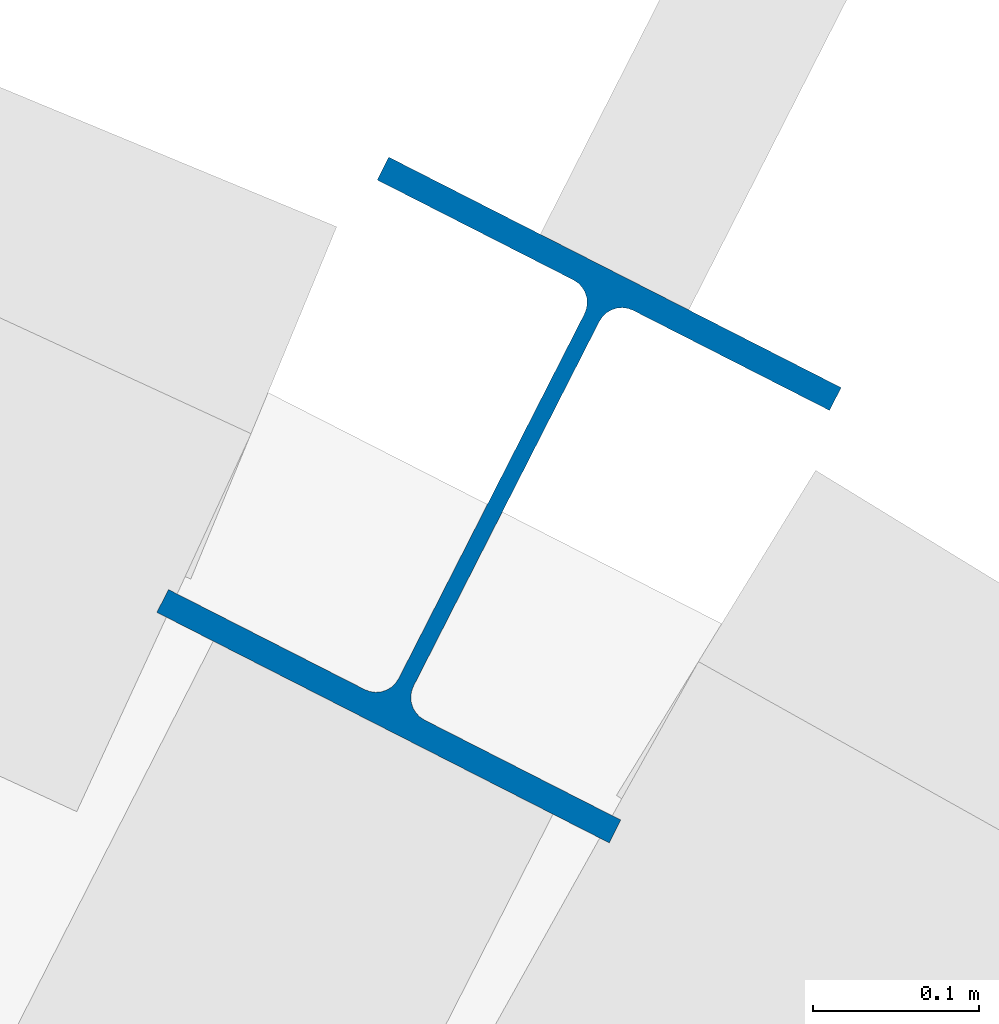
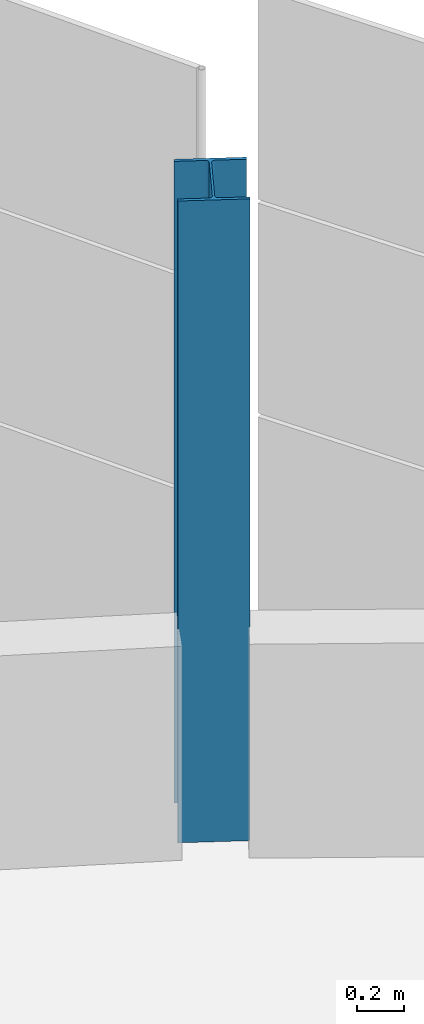
# One storey, part 28 of 199: 1 column.
"""IFC4 building model written with IfcOpenShell, lengths in metres."""

import ifcopenshell
import ifcopenshell.guid

model = None  # the IFC model being written
_history = None  # IfcOwnerHistory: only IFC2X3 demands one
_inside = {}  # id of a spatial element -> (the spatial element, [elements in it])
_under = {}  # id of a project, library or spatial element -> (it, [spatial elements below it])
_declared = {}  # id of a project -> (the project, [libraries it declares])
_typed = {}  # id of a type object -> (the type object, [elements of that type])
_made_of = {}  # id of a material, layer set ... -> (it, [elements and type objects made of it])


def new_model(schema):
    """Start an empty IFC model of exactly this schema.

    Asked for "IFC4X3", IfcOpenShell would pick the latest addendum, in which some entities
    have other attributes; the version numbers below select the first issue.
    IFC2X3 requires an IfcOwnerHistory on every rooted entity: one is made here for all.
    """
    global model, _history
    if schema == "IFC4X3":
        model = ifcopenshell.file(schema_version=(4, 3, 0, 0))
    else:
        model = ifcopenshell.file(schema=schema)
    _inside.clear()
    _under.clear()
    _declared.clear()
    _typed.clear()
    _made_of.clear()
    _history = None
    if model.schema == "IFC2X3":
        org = make("IfcOrganization", Name="unknown")
        user = make(
            "IfcPersonAndOrganization",
            ThePerson=make("IfcPerson", FamilyName="unknown"),
            TheOrganization=org,
        )
        app = make(
            "IfcApplication",
            ApplicationDeveloper=org,
            Version="unknown",
            ApplicationFullName="unknown",
            ApplicationIdentifier="unknown",
        )
        _history = make(
            "IfcOwnerHistory",
            OwningUser=user,
            OwningApplication=app,
            ChangeAction="ADDED",
            CreationDate=0,
        )
    return model


def make(cls, **values):
    """One entity of the class cls with the attributes given. An attribute that is None is left unset."""
    return model.create_entity(
        cls, **{name: value for name, value in values.items() if value is not None}
    )


def rooted(cls, **values):
    """An entity with a GlobalId (a new one), such as an element, a storey or a relation."""
    return make(cls, GlobalId=ifcopenshell.guid.new(), OwnerHistory=_history, **values)


def si_unit(unit_type, name, prefix=None):
    """IfcSIUnit, for example si_unit("LENGTHUNIT", "METRE", prefix="MILLI")."""
    return make("IfcSIUnit", UnitType=unit_type, Prefix=prefix, Name=name)


def assignment(units):
    """IfcUnitAssignment: the units of a project."""
    return None if units is None else make("IfcUnitAssignment", Units=units)


def point(xyz):
    """IfcCartesianPoint."""
    return None if xyz is None else make("IfcCartesianPoint", Coordinates=xyz)


def direction(xyz):
    """IfcDirection."""
    return None if xyz is None else make("IfcDirection", DirectionRatios=xyz)


def frame(location, z_axis=None, x_axis=None):
    """IfcAxis2Placement3D, a coordinate frame: its origin and axes. An axis left out is left unset."""
    return make(
        "IfcAxis2Placement3D",
        Location=point(location),
        Axis=direction(z_axis),
        RefDirection=direction(x_axis),
    )


def frame_2d(location, x_axis=None):
    """IfcAxis2Placement2D, a coordinate frame in the plane: its origin and x axis."""
    return make(
        "IfcAxis2Placement2D", Location=point(location), RefDirection=direction(x_axis)
    )


def origin():
    """The frame at (0, 0, 0) with its axes left unset."""
    return frame((0.0, 0.0, 0.0))


def origin_2d():
    """The frame at (0, 0) in the plane with its x axis left unset."""
    return frame_2d((0.0, 0.0))


def place(relative_to, where):
    """IfcLocalPlacement: puts the frame where relative to a parent placement (None: the world)."""
    return make(
        "IfcLocalPlacement", PlacementRelTo=relative_to, RelativePlacement=where
    )


def context(
    kind, dimensions, precision=None, world=None, true_north=None, identifier=None
):
    """IfcGeometricRepresentationContext, for example the 3D "Model" context."""
    return make(
        "IfcGeometricRepresentationContext",
        ContextIdentifier=identifier,
        ContextType=kind,
        CoordinateSpaceDimension=dimensions,
        Precision=precision,
        WorldCoordinateSystem=world,
        TrueNorth=true_north,
    )


def subcontext(parent, identifier, kind, view, scale=None):
    """IfcGeometricRepresentationSubContext, for example "Body" below "Model"."""
    return make(
        "IfcGeometricRepresentationSubContext",
        ContextIdentifier=identifier,
        ContextType=kind,
        ParentContext=parent,
        TargetScale=scale,
        TargetView=view,
    )


def project(units=None, contexts=None):
    """IfcProject with its units and contexts."""
    return rooted(
        "IfcProject",
        Name="project",
        RepresentationContexts=contexts,
        UnitsInContext=assignment(units),
    )


def spatial(cls, under=None, at=None, **own):
    """A site, building, storey or space (cls), placed at a placement, below another one or the project."""
    s = rooted(cls, ObjectPlacement=at, **own)
    if under is not None:
        _under.setdefault(under.id(), (under, []))[1].append(s)
    return s


def profile(cls, at=None, kind="AREA", **sizes):
    """A parametric profile (cls). Its sizes go by their IFC names, for example OverallWidth=200.0."""
    return make(cls, ProfileType=kind, Position=at, **sizes)


def i_section(**sizes):
    """IfcIShapeProfileDef."""
    return profile("IfcIShapeProfileDef", **sizes)


def extrude(swept, where, along, depth):
    """IfcExtrudedAreaSolid: the profile swept, set in the frame where, extruded along a direction by depth."""
    return make(
        "IfcExtrudedAreaSolid",
        SweptArea=swept,
        Position=where,
        ExtrudedDirection=direction(along),
        Depth=depth,
    )


def shape(context_of_items, identifier, shape_type, items):
    """IfcShapeRepresentation: the items that make up one representation, for example the "Body"."""
    return make(
        "IfcShapeRepresentation",
        ContextOfItems=context_of_items,
        RepresentationIdentifier=identifier,
        RepresentationType=shape_type,
        Items=items,
    )


def material(Name=None, Category=None):
    """IfcMaterial."""
    return make("IfcMaterial", Name=Name, Category=Category)


def material_profile(
    of_material, cross_section, Name=None, Category=None, Priority=None
):
    """IfcMaterialProfile: a cross section and its material."""
    return make(
        "IfcMaterialProfile",
        Name=Name,
        Material=of_material,
        Profile=cross_section,
        Priority=Priority,
        Category=Category,
    )


def profile_set(profiles, Name=None, composite=None):
    """IfcMaterialProfileSet."""
    return make(
        "IfcMaterialProfileSet",
        Name=Name,
        MaterialProfiles=profiles,
        CompositeProfile=composite,
    )


def made_of(thing, what):
    """Note that an element or type object is made of a material, layer set ...; save() writes the relation."""
    if what is not None:
        _made_of.setdefault(what.id(), (what, []))[1].append(thing)
    return thing


def type_object(cls, material=None, **own):
    """A type object (cls), such as IfcWallType, which elements share."""
    return made_of(rooted(cls, **own), material)


def element(
    cls,
    number,
    at=None,
    inside=None,
    cuts=None,
    type_object=None,
    material=None,
    context=None,
    identifier="Body",
    shape_type=None,
    held_by="IfcProductDefinitionShape",
    body=None,
    shapes=None,
    **own,
):
    """One element of the class cls, such as IfcWall. Its Tag is "e" and its number.

    at: its placement. inside: the storey or other place that contains it. cuts: it is an
    opening in that element (IfcRelVoidsElement). A single representation is given by context,
    identifier, shape_type and body (its items); several are given by shapes. held_by: the class
    of the entity that holds the representations. save() writes the other relations.
    """
    e = rooted(cls, Tag="e%d" % number, ObjectPlacement=at, **own)
    if body is not None:
        shapes = [shape(context, identifier, shape_type, body)]
    if shapes is not None:
        e.Representation = make(held_by, Representations=shapes)
    if inside is not None:
        _inside.setdefault(inside.id(), (inside, []))[1].append(e)
    if cuts is not None:
        rooted(
            "IfcRelVoidsElement", RelatingBuildingElement=cuts, RelatedOpeningElement=e
        )
    if type_object is not None:
        _typed.setdefault(type_object.id(), (type_object, []))[1].append(e)
    return made_of(e, material)


def aggregate(whole, parts):
    """IfcRelAggregates: a whole, such as a stair, and the parts it consists of."""
    return rooted("IfcRelAggregates", RelatingObject=whole, RelatedObjects=parts)


def save(model, path):
    """Write the relations noted so far, then the file.

    IfcRelAggregates (storeys below a building ...), IfcRelContainedInSpatialStructure (elements
    in a storey), IfcRelDefinesByType, IfcRelAssociatesMaterial and IfcRelDeclares: one each for
    every whole, place, type object, material and project.
    """
    for whole, parts in _under.values():
        aggregate(whole, parts)
    for where, things in _inside.values():
        rooted(
            "IfcRelContainedInSpatialStructure",
            RelatedElements=things,
            RelatingStructure=where,
        )
    for kind, things in _typed.values():
        rooted("IfcRelDefinesByType", RelatedObjects=things, RelatingType=kind)
    for what, things in _made_of.values():
        rooted("IfcRelAssociatesMaterial", RelatedObjects=things, RelatingMaterial=what)
    for by, libraries in _declared.values():
        rooted("IfcRelDeclares", RelatingContext=by, RelatedDefinitions=libraries)
    model.write(path)


model = new_model("IFC4")

# Units and contexts
model_context = context("Model", 3, precision=1e-05, world=origin(), true_north=direction((0.0, 1.0)))
body_context = subcontext(model_context, "Body", "Model", "MODEL_VIEW")
ifc_project = project(units=[si_unit("LENGTHUNIT", "METRE"), si_unit("AREAUNIT", "SQUARE_METRE"), si_unit("VOLUMEUNIT", "CUBIC_METRE"), si_unit("PLANEANGLEUNIT", "RADIAN"), si_unit("MASSUNIT", "GRAM", prefix="KILO")], contexts=[model_context])

# Site, building, storey
site_placement = place(None, origin())
site = spatial("IfcSite", under=ifc_project, at=site_placement, CompositionType="ELEMENT")
building_placement = place(site_placement, origin())
building = spatial("IfcBuilding", under=site, at=building_placement, Name="Parallax Yard Mobility Hub", CompositionType="ELEMENT")
storey_placement = place(building_placement, frame((0.0, 0.0, 9.89990234375)))
storey = spatial("IfcBuildingStorey", under=building, at=storey_placement, Name="L03", CompositionType="ELEMENT", Elevation=9.89990234375)

# Column
ifc_material = material(Name="Steel ASTM A992", Category="steel")
ifc_material_profile = material_profile(ifc_material, i_section(OverallWidth=0.304931640625, OverallDepth=0.306884765625, WebThickness=0.010009765625, FlangeThickness=0.015380859375, FilletRadius=0.01513671875, at=origin_2d()), Name="W310x97")
ifc_profile_set = profile_set([ifc_material_profile], Name="Steel ASTM A992")
column_type = type_object("IfcColumnType", Name="W310x97 column", PredefinedType="COLUMN", material=ifc_profile_set)
column_placement = place(storey_placement, frame((196.33447265625, 136.77783203125, 0.0), z_axis=(0.0, 0.0, 1.0), x_axis=(-0.891006524188, 0.45399049974, 0.0)))
element("IfcColumn", 1, at=column_placement, inside=storey, type_object=column_type, Name="Column C1 level L03 at RC/R3 of ramped parking decks", PredefinedType="COLUMN", context=body_context, shape_type="SweptSolid", body=[
    extrude(i_section(OverallWidth=0.304931640625, OverallDepth=0.306884765625, WebThickness=0.010009765625, FlangeThickness=0.015380859375, FilletRadius=0.01513671875, at=origin_2d()), origin(), (0.0, 0.0, 1.0), 3.300048828125),
])

save(model, "model.ifc")
